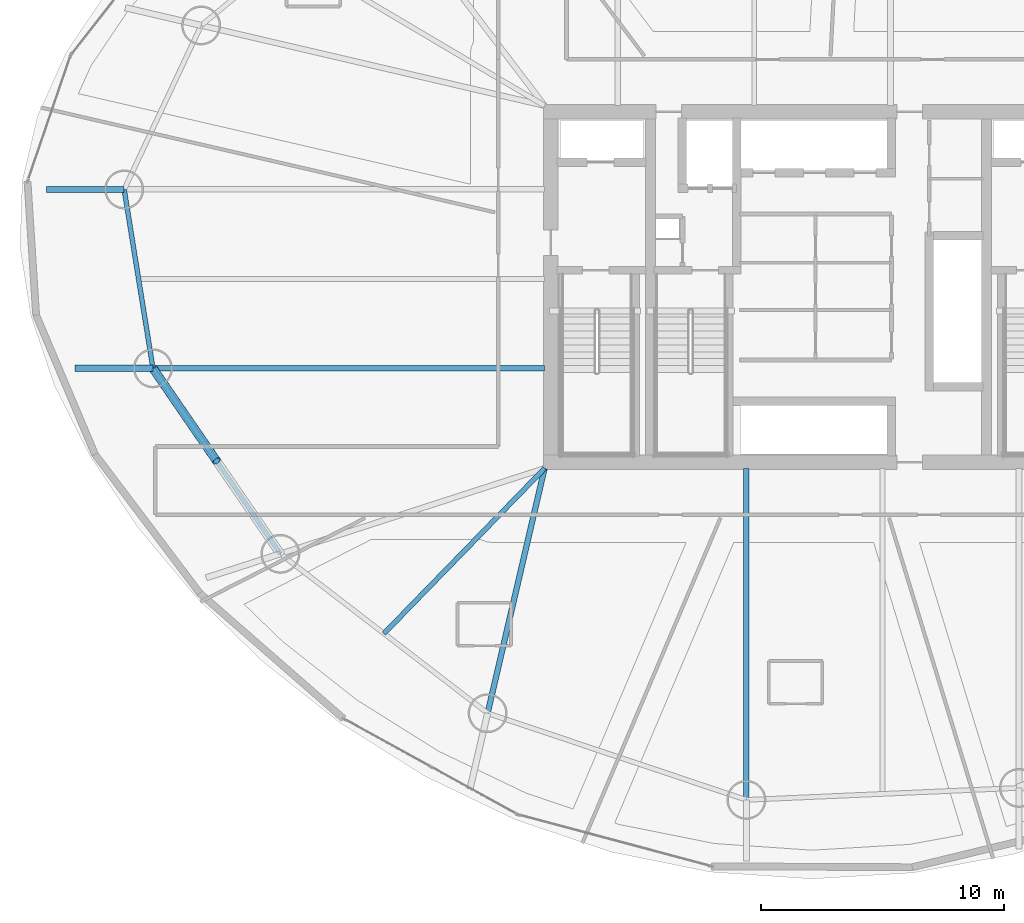
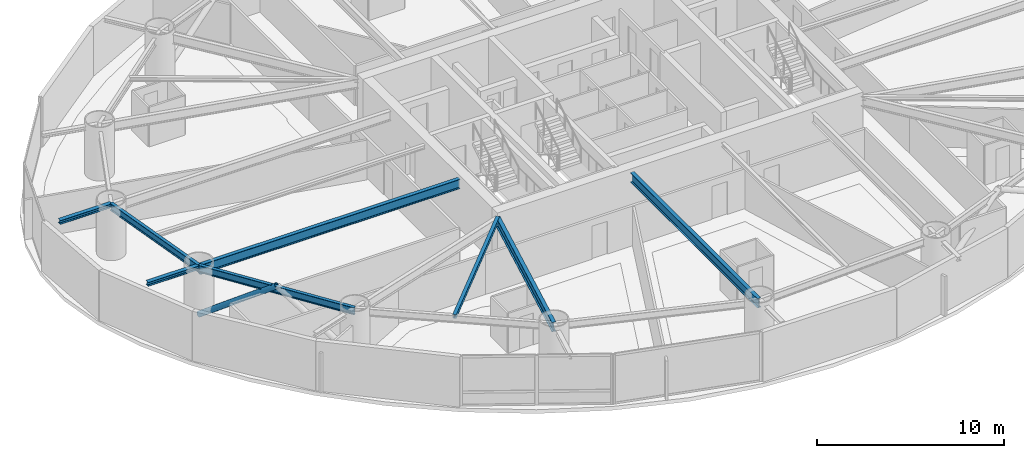
# One storey, part 4 of 23: 8 beams, 1 member.
"""IFC4 building model written with IfcOpenShell, lengths in metres."""

from ifc_helpers import new_model, si_unit, direction, frame, origin, origin_2d, place, context, subcontext, project, spatial, hollow_circle, i_section, extrude, material, material_profile, profile_set, type_object, element, save


model = new_model("IFC4")

# Units and contexts
model_context = context("Model", 3, precision=1e-05, world=origin(), true_north=direction((0.0, 1.0)))
body_context = subcontext(model_context, "Body", "Model", "MODEL_VIEW")
ifc_project = project(units=[si_unit("LENGTHUNIT", "METRE"), si_unit("AREAUNIT", "SQUARE_METRE"), si_unit("VOLUMEUNIT", "CUBIC_METRE"), si_unit("PLANEANGLEUNIT", "RADIAN"), si_unit("MASSUNIT", "GRAM", prefix="KILO")], contexts=[model_context])

# Site, building, storey
site_placement = place(None, origin())
site = spatial("IfcSite", under=ifc_project, at=site_placement, CompositionType="ELEMENT")
building_placement = place(site_placement, origin())
building = spatial("IfcBuilding", under=site, at=building_placement, Name="Bramvorn Convention Spire", CompositionType="ELEMENT")
storey_placement = place(building_placement, frame((0.0, 0.0, 65.89990234375)))
storey = spatial("IfcBuildingStorey", under=building, at=storey_placement, Name="L14", CompositionType="ELEMENT", Elevation=65.89990234375)

# Beams
ifc_material = material(Name="Steel CSA G40.21 Grade 350 (350W)", Category="steel")
ifc_material_profile_1 = material_profile(ifc_material, i_section(OverallWidth=0.201904296875, OverallDepth=0.2470703125, WebThickness=0.00732421875, FlangeThickness=0.010986328125, FilletRadius=0.011962890625, at=origin_2d()))
ifc_profile_set_1 = profile_set([ifc_material_profile_1], Name="Steel CSA G40.21 Grade 350 (350W) - W250X49")
beam_type_1 = type_object("IfcBeamType", Name="BM-W250X49", PredefinedType="JOIST", material=ifc_profile_set_1)
beam_1_placement = place(storey_placement, frame((26.75, 18.550048828125, 3.126708984375), z_axis=(-0.697157225069, -0.716918268378, 0.0), x_axis=(0.716918268378, -0.697157225069, 0.0)))
element("IfcBeam", 1, at=beam_1_placement, inside=storey, type_object=beam_type_1, Name="L14 composite floor joist 11", PredefinedType="JOIST", context=body_context, shape_type="SweptSolid", body=[
    extrude(i_section(OverallWidth=0.201904296875, OverallDepth=0.2470703125, WebThickness=0.00732421875, FlangeThickness=0.010986328125, FilletRadius=0.011962890625, at=origin_2d()), origin(), (0.0, 0.0, 1.0), 9.463623046875),
])
ifc_material_profile_2 = material_profile(ifc_material, i_section(OverallWidth=0.25390625, OverallDepth=0.2529296875, WebThickness=0.008544921875, FlangeThickness=0.01416015625, FilletRadius=0.011962890625, at=origin_2d()))
ifc_profile_set_2 = profile_set([ifc_material_profile_2], Name="Steel CSA G40.21 Grade 350 (350W) - W250X73")
beam_type_2 = type_object("IfcBeamType", Name="BM-W250X73", PredefinedType="BEAM", material=ifc_profile_set_2)
for number, where, z_axis, x_axis, name in (
    (2, (9.480224609375, 30.00830078125, 3.12353515625), (-1.0, 0.0, 0.0), (0.0, -1.0, 0.0), "L14 slab-edge cantilever tip beam MC09"),
    (3, (10.661376953125, 22.659912109375, 3.12353515625), (-1.0, 0.0, 0.0), (0.0, -1.0, 0.0), "L14 slab-edge cantilever tip beam MC10"),
):
    element("IfcBeam", number, at=place(storey_placement, frame(where, z_axis=z_axis, x_axis=x_axis)), inside=storey, type_object=beam_type_2, Name=name, PredefinedType="BEAM", context=body_context, shape_type="SweptSolid", body=[
        extrude(i_section(OverallWidth=0.25390625, OverallDepth=0.2529296875, WebThickness=0.008544921875, FlangeThickness=0.01416015625, FilletRadius=0.011962890625, at=origin_2d()), origin(), (0.0, 0.0, 1.0), 3.199951171875),
    ])
ifc_material_profile_3 = material_profile(ifc_material, i_section(OverallWidth=0.194091796875, OverallDepth=0.468994140625, WebThickness=0.0126953125, FlangeThickness=0.0205078125, FilletRadius=0.01806640625, at=origin_2d()))
ifc_profile_set_3 = profile_set([ifc_material_profile_3], Name="Steel CSA G40.21 Grade 350 (350W) - W460X106")
beam_type_3 = type_object("IfcBeamType", Name="BM-W460X106", PredefinedType="SPANDREL", material=ifc_profile_set_3)
beam_2_placement = place(storey_placement, frame((9.480224609375, 30.00830078125, 3.015625), z_axis=(0.158699222824, -0.987326975563, 0.0), x_axis=(0.987326975563, 0.158699222824, 0.0)))
element("IfcBeam", 4, at=beam_2_placement, inside=storey, type_object=beam_type_3, Name="L14 mega-column ring beam 09", PredefinedType="SPANDREL", context=body_context, shape_type="SweptSolid", body=[
    extrude(i_section(OverallWidth=0.194091796875, OverallDepth=0.468994140625, WebThickness=0.0126953125, FlangeThickness=0.0205078125, FilletRadius=0.01806640625, at=origin_2d()), origin(), (0.0, 0.0, 1.0), 7.442626953125),
])
beam_3_placement = place(storey_placement, frame((10.661376953125, 22.659912109375, 3.015625), z_axis=(0.566129730789, -0.824316157743, 0.0), x_axis=(0.824316157743, 0.566129730789, 0.0)))
element("IfcBeam", 5, at=beam_3_placement, inside=storey, type_object=beam_type_3, Name="L14 mega-column ring beam 10", PredefinedType="SPANDREL", context=body_context, shape_type="SweptSolid", body=[
    extrude(i_section(OverallWidth=0.194091796875, OverallDepth=0.468994140625, WebThickness=0.0126953125, FlangeThickness=0.0205078125, FilletRadius=0.01806640625, at=origin_2d()), origin(), (0.0, 0.0, 1.0), 9.244140625),
])
ifc_material_profile_4 = material_profile(ifc_material, i_section(OverallWidth=0.22998046875, OverallDepth=0.616943359375, WebThickness=0.01318359375, FlangeThickness=0.022216796875, FilletRadius=0.02001953125, at=origin_2d()))
ifc_profile_set_4 = profile_set([ifc_material_profile_4], Name="Steel CSA G40.21 Grade 350 (350W) - W610X140")
beam_type_4 = type_object("IfcBeamType", Name="BM-W610X140", PredefinedType="BEAM", material=ifc_profile_set_4)
beam_4_placement = place(storey_placement, frame((26.75, 22.659912109375, 2.941650390625), z_axis=(-1.0, 0.0, 0.0), x_axis=(0.0, -1.0, 0.0)))
element("IfcBeam", 6, at=beam_4_placement, inside=storey, type_object=beam_type_4, Name="L14 radial floor girder MC10", PredefinedType="BEAM", context=body_context, shape_type="SweptSolid", body=[
    extrude(i_section(OverallWidth=0.22998046875, OverallDepth=0.616943359375, WebThickness=0.01318359375, FlangeThickness=0.022216796875, FilletRadius=0.02001953125, at=origin_2d()), origin(), (0.0, 0.0, 1.0), 16.088623046875),
])
beam_5_placement = place(storey_placement, frame((26.75, 18.550048828125, 2.941650390625), z_axis=(-0.226606328522, -0.973986433106, 0.0), x_axis=(0.973986433106, -0.226606328522, 0.0)))
element("IfcBeam", 7, at=beam_5_placement, inside=storey, type_object=beam_type_4, Name="L14 radial floor girder MC12", PredefinedType="BEAM", context=body_context, shape_type="SweptSolid", body=[
    extrude(i_section(OverallWidth=0.22998046875, OverallDepth=0.616943359375, WebThickness=0.01318359375, FlangeThickness=0.022216796875, FilletRadius=0.02001953125, at=origin_2d()), origin(), (0.0, 0.0, 1.0), 10.32763671875),
])
beam_6_placement = place(storey_placement, frame((35.0390625, 18.550048828125, 2.941650390625), z_axis=(0.0, -1.0, 0.0), x_axis=(1.0, 0.0, 0.0)))
element("IfcBeam", 8, at=beam_6_placement, inside=storey, type_object=beam_type_4, Name="L14 radial floor girder MC13", PredefinedType="BEAM", context=body_context, shape_type="SweptSolid", body=[
    extrude(i_section(OverallWidth=0.22998046875, OverallDepth=0.616943359375, WebThickness=0.01318359375, FlangeThickness=0.022216796875, FilletRadius=0.02001953125, at=origin_2d()), origin(), (0.0, 0.0, 1.0), 13.618896484375),
])

# Member
ifc_material_profile_5 = material_profile(ifc_material, hollow_circle(Radius=0.177734375, WallThickness=0.015869140625, at=origin_2d()))
ifc_profile_set_5 = profile_set([ifc_material_profile_5], Name="Steel CSA G40.21 Grade 350 (350W) - CHS356X16")
member_type = type_object("IfcMemberType", Name="MBR-CHS356X16", PredefinedType="BRACE", material=ifc_profile_set_5)
member_placement = place(storey_placement, frame((10.661376953125, 22.659912109375, 0.0), z_axis=(0.463106048325, -0.674307985647, 0.575188254833), x_axis=(0.824316157743, 0.566129730789, 0.0)))
element("IfcMember", 9, at=member_placement, inside=storey, type_object=member_type, Name="L14 perimeter Gothic lancet brace 10A", PredefinedType="BRACE", context=body_context, shape_type="SweptSolid", body=[
    extrude(hollow_circle(Radius=0.177734375, WallThickness=0.015869140625, at=origin_2d()), origin(), (0.0, 0.0, 1.0), 5.650390625),
])

save(model, "model.ifc")
